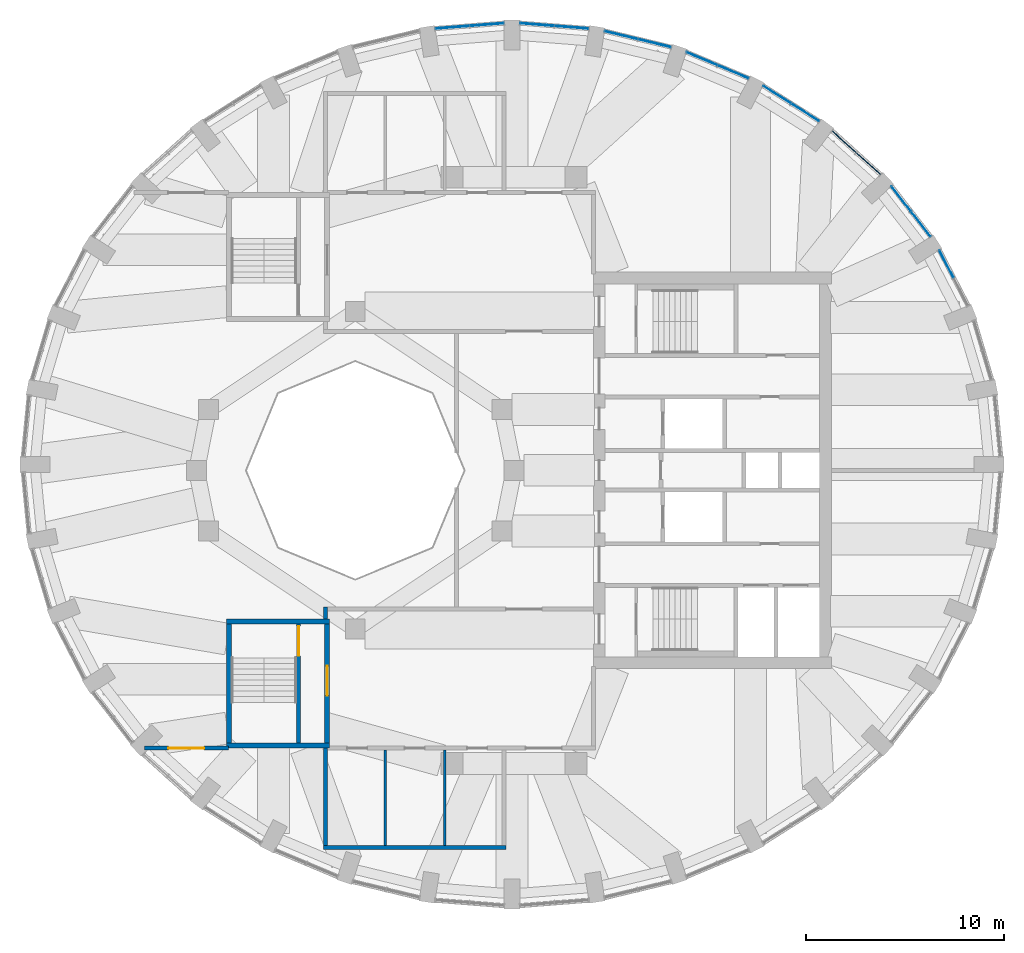
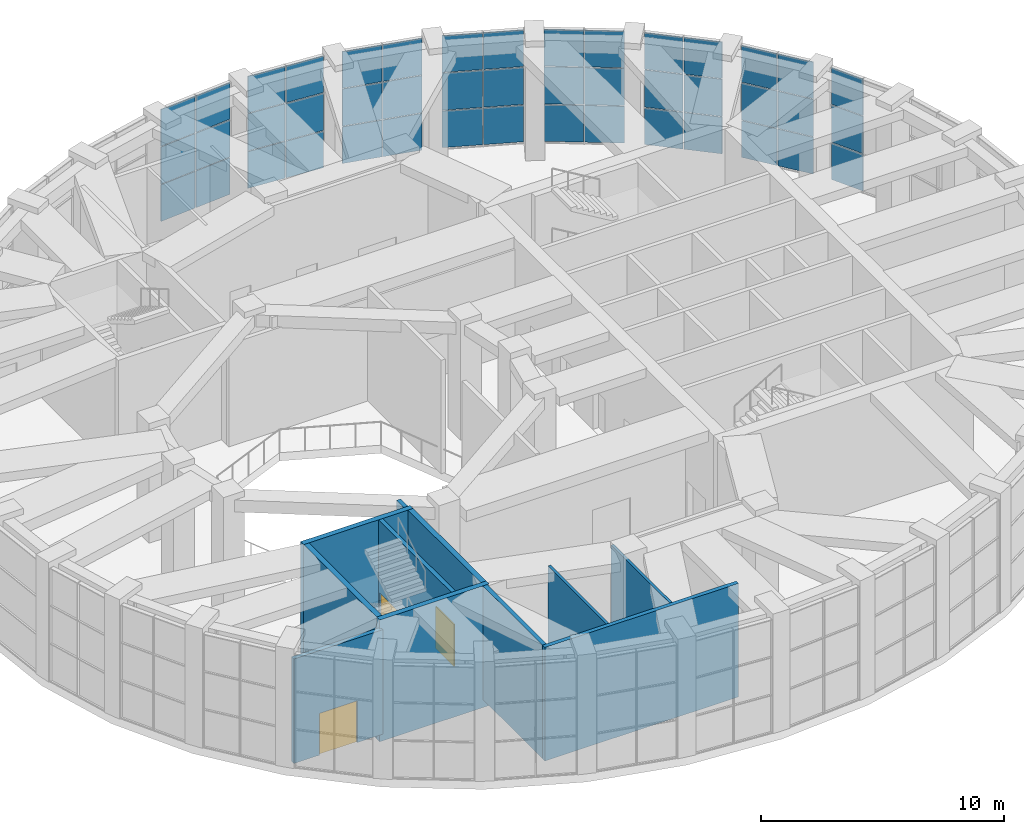
# One storey, part 15 of 20: 45 plates, 11 walls, 3 doors, 3 openings, 8 elements without a shape of their own.
"""IFC4 building model written with IfcOpenShell, lengths in metres."""

import ifcopenshell
import ifcopenshell.guid

model = None  # the IFC model being written
_history = None  # IfcOwnerHistory: only IFC2X3 demands one
_inside = {}  # id of a spatial element -> (the spatial element, [elements in it])
_under = {}  # id of a project, library or spatial element -> (it, [spatial elements below it])
_declared = {}  # id of a project -> (the project, [libraries it declares])
_typed = {}  # id of a type object -> (the type object, [elements of that type])
_made_of = {}  # id of a material, layer set ... -> (it, [elements and type objects made of it])


def new_model(schema):
    """Start an empty IFC model of exactly this schema.

    Asked for "IFC4X3", IfcOpenShell would pick the latest addendum, in which some entities
    have other attributes; the version numbers below select the first issue.
    IFC2X3 requires an IfcOwnerHistory on every rooted entity: one is made here for all.
    """
    global model, _history
    if schema == "IFC4X3":
        model = ifcopenshell.file(schema_version=(4, 3, 0, 0))
    else:
        model = ifcopenshell.file(schema=schema)
    _inside.clear()
    _under.clear()
    _declared.clear()
    _typed.clear()
    _made_of.clear()
    _history = None
    if model.schema == "IFC2X3":
        org = make("IfcOrganization", Name="unknown")
        user = make(
            "IfcPersonAndOrganization",
            ThePerson=make("IfcPerson", FamilyName="unknown"),
            TheOrganization=org,
        )
        app = make(
            "IfcApplication",
            ApplicationDeveloper=org,
            Version="unknown",
            ApplicationFullName="unknown",
            ApplicationIdentifier="unknown",
        )
        _history = make(
            "IfcOwnerHistory",
            OwningUser=user,
            OwningApplication=app,
            ChangeAction="ADDED",
            CreationDate=0,
        )
    return model


def make(cls, **values):
    """One entity of the class cls with the attributes given. An attribute that is None is left unset."""
    return model.create_entity(
        cls, **{name: value for name, value in values.items() if value is not None}
    )


def rooted(cls, **values):
    """An entity with a GlobalId (a new one), such as an element, a storey or a relation."""
    return make(cls, GlobalId=ifcopenshell.guid.new(), OwnerHistory=_history, **values)


def si_unit(unit_type, name, prefix=None):
    """IfcSIUnit, for example si_unit("LENGTHUNIT", "METRE", prefix="MILLI")."""
    return make("IfcSIUnit", UnitType=unit_type, Prefix=prefix, Name=name)


def assignment(units):
    """IfcUnitAssignment: the units of a project."""
    return None if units is None else make("IfcUnitAssignment", Units=units)


def point(xyz):
    """IfcCartesianPoint."""
    return None if xyz is None else make("IfcCartesianPoint", Coordinates=xyz)


def direction(xyz):
    """IfcDirection."""
    return None if xyz is None else make("IfcDirection", DirectionRatios=xyz)


def frame(location, z_axis=None, x_axis=None):
    """IfcAxis2Placement3D, a coordinate frame: its origin and axes. An axis left out is left unset."""
    return make(
        "IfcAxis2Placement3D",
        Location=point(location),
        Axis=direction(z_axis),
        RefDirection=direction(x_axis),
    )


def frame_2d(location, x_axis=None):
    """IfcAxis2Placement2D, a coordinate frame in the plane: its origin and x axis."""
    return make(
        "IfcAxis2Placement2D", Location=point(location), RefDirection=direction(x_axis)
    )


def origin():
    """The frame at (0, 0, 0) with its axes left unset."""
    return frame((0.0, 0.0, 0.0))


def origin_2d():
    """The frame at (0, 0) in the plane with its x axis left unset."""
    return frame_2d((0.0, 0.0))


def place(relative_to, where):
    """IfcLocalPlacement: puts the frame where relative to a parent placement (None: the world)."""
    return make(
        "IfcLocalPlacement", PlacementRelTo=relative_to, RelativePlacement=where
    )


def context(
    kind, dimensions, precision=None, world=None, true_north=None, identifier=None
):
    """IfcGeometricRepresentationContext, for example the 3D "Model" context."""
    return make(
        "IfcGeometricRepresentationContext",
        ContextIdentifier=identifier,
        ContextType=kind,
        CoordinateSpaceDimension=dimensions,
        Precision=precision,
        WorldCoordinateSystem=world,
        TrueNorth=true_north,
    )


def subcontext(parent, identifier, kind, view, scale=None):
    """IfcGeometricRepresentationSubContext, for example "Body" below "Model"."""
    return make(
        "IfcGeometricRepresentationSubContext",
        ContextIdentifier=identifier,
        ContextType=kind,
        ParentContext=parent,
        TargetScale=scale,
        TargetView=view,
    )


def project(units=None, contexts=None):
    """IfcProject with its units and contexts."""
    return rooted(
        "IfcProject",
        Name="project",
        RepresentationContexts=contexts,
        UnitsInContext=assignment(units),
    )


def spatial(cls, under=None, at=None, **own):
    """A site, building, storey or space (cls), placed at a placement, below another one or the project."""
    s = rooted(cls, ObjectPlacement=at, **own)
    if under is not None:
        _under.setdefault(under.id(), (under, []))[1].append(s)
    return s


def profile(cls, at=None, kind="AREA", **sizes):
    """A parametric profile (cls). Its sizes go by their IFC names, for example OverallWidth=200.0."""
    return make(cls, ProfileType=kind, Position=at, **sizes)


def rectangle(**sizes):
    """IfcRectangleProfileDef."""
    return profile("IfcRectangleProfileDef", **sizes)


def extrude(swept, where, along, depth):
    """IfcExtrudedAreaSolid: the profile swept, set in the frame where, extruded along a direction by depth."""
    return make(
        "IfcExtrudedAreaSolid",
        SweptArea=swept,
        Position=where,
        ExtrudedDirection=direction(along),
        Depth=depth,
    )


def shape(context_of_items, identifier, shape_type, items):
    """IfcShapeRepresentation: the items that make up one representation, for example the "Body"."""
    return make(
        "IfcShapeRepresentation",
        ContextOfItems=context_of_items,
        RepresentationIdentifier=identifier,
        RepresentationType=shape_type,
        Items=items,
    )


def material(Name=None, Category=None):
    """IfcMaterial."""
    return make("IfcMaterial", Name=Name, Category=Category)


def layer(
    of_material, thickness, ventilated=None, Name=None, Category=None, Priority=None
):
    """IfcMaterialLayer: one layer of a wall or slab, of a material (None: an air gap)."""
    return make(
        "IfcMaterialLayer",
        Material=of_material,
        LayerThickness=thickness,
        IsVentilated=ventilated,
        Name=Name,
        Category=Category,
        Priority=Priority,
    )


def layer_set(layers, Name=None):
    """IfcMaterialLayerSet."""
    return make("IfcMaterialLayerSet", MaterialLayers=layers, LayerSetName=Name)


def made_of(thing, what):
    """Note that an element or type object is made of a material, layer set ...; save() writes the relation."""
    if what is not None:
        _made_of.setdefault(what.id(), (what, []))[1].append(thing)
    return thing


def type_object(cls, material=None, **own):
    """A type object (cls), such as IfcWallType, which elements share."""
    return made_of(rooted(cls, **own), material)


def element(
    cls,
    number,
    at=None,
    inside=None,
    cuts=None,
    type_object=None,
    material=None,
    context=None,
    identifier="Body",
    shape_type=None,
    held_by="IfcProductDefinitionShape",
    body=None,
    shapes=None,
    **own,
):
    """One element of the class cls, such as IfcWall. Its Tag is "e" and its number.

    at: its placement. inside: the storey or other place that contains it. cuts: it is an
    opening in that element (IfcRelVoidsElement). A single representation is given by context,
    identifier, shape_type and body (its items); several are given by shapes. held_by: the class
    of the entity that holds the representations. save() writes the other relations.
    """
    e = rooted(cls, Tag="e%d" % number, ObjectPlacement=at, **own)
    if body is not None:
        shapes = [shape(context, identifier, shape_type, body)]
    if shapes is not None:
        e.Representation = make(held_by, Representations=shapes)
    if inside is not None:
        _inside.setdefault(inside.id(), (inside, []))[1].append(e)
    if cuts is not None:
        rooted(
            "IfcRelVoidsElement", RelatingBuildingElement=cuts, RelatedOpeningElement=e
        )
    if type_object is not None:
        _typed.setdefault(type_object.id(), (type_object, []))[1].append(e)
    return made_of(e, material)


def fill(opening, filler):
    """IfcRelFillsElement: the door or window that sits in an opening."""
    return rooted(
        "IfcRelFillsElement",
        RelatingOpeningElement=opening,
        RelatedBuildingElement=filler,
    )


def aggregate(whole, parts):
    """IfcRelAggregates: a whole, such as a stair, and the parts it consists of."""
    return rooted("IfcRelAggregates", RelatingObject=whole, RelatedObjects=parts)


def save(model, path):
    """Write the relations noted so far, then the file.

    IfcRelAggregates (storeys below a building ...), IfcRelContainedInSpatialStructure (elements
    in a storey), IfcRelDefinesByType, IfcRelAssociatesMaterial and IfcRelDeclares: one each for
    every whole, place, type object, material and project.
    """
    for whole, parts in _under.values():
        aggregate(whole, parts)
    for where, things in _inside.values():
        rooted(
            "IfcRelContainedInSpatialStructure",
            RelatedElements=things,
            RelatingStructure=where,
        )
    for kind, things in _typed.values():
        rooted("IfcRelDefinesByType", RelatedObjects=things, RelatingType=kind)
    for what, things in _made_of.values():
        rooted("IfcRelAssociatesMaterial", RelatedObjects=things, RelatingMaterial=what)
    for by, libraries in _declared.values():
        rooted("IfcRelDeclares", RelatingContext=by, RelatedDefinitions=libraries)
    model.write(path)


model = new_model("IFC4")

# Units and contexts
model_context = context("Model", 3, precision=1e-05, world=origin(), true_north=direction((0.0, 1.0)))
body_context = subcontext(model_context, "Body", "Model", "MODEL_VIEW")
ifc_project = project(units=[si_unit("LENGTHUNIT", "METRE"), si_unit("AREAUNIT", "SQUARE_METRE"), si_unit("VOLUMEUNIT", "CUBIC_METRE"), si_unit("PLANEANGLEUNIT", "RADIAN"), si_unit("MASSUNIT", "GRAM", prefix="KILO")], contexts=[model_context])

# Site, building, storey
site_placement = place(None, origin())
site = spatial("IfcSite", under=ifc_project, at=site_placement, CompositionType="ELEMENT")
building_placement = place(site_placement, origin())
building = spatial("IfcBuilding", under=site, at=building_placement, Name="Taillehof Tower", CompositionType="ELEMENT")
storey_placement = place(building_placement, frame((0.0, 0.0, 269.199951171875)))
storey = spatial("IfcBuildingStorey", under=building, at=storey_placement, Name="L76", CompositionType="ELEMENT", Elevation=269.199951171875)

# Curtain wall, plates
ifc_material_1 = material(Name="Aluminium curtain wall with Clear toughened laminated glass", Category="aluminium")
curtain_wall_type = type_object("IfcCurtainWallType", Name="Observation deck curtain wall", PredefinedType="USERDEFINED", material=ifc_material_1)
curtain_wall_1_placement = place(storey_placement, origin())
curtain_wall_1 = element("IfcCurtainWall", 1, at=curtain_wall_1_placement, inside=storey, type_object=curtain_wall_type, Name="Observation deck L76 bay 3", ObjectType="WINDOW WALL", PredefinedType="USERDEFINED")
ifc_material_2 = material(Name="Clear toughened laminated glass", Category="glass")
ifc_layer_1 = layer(ifc_material_2, 0.0400390625)
ifc_layer_set_1 = layer_set([ifc_layer_1], Name="Observation deck glass panel 40")
plate_type = type_object("IfcPlateType", Name="Observation deck glass panel 40", PredefinedType="CURTAIN_PANEL", material=ifc_layer_set_1)
plate_1_placement = place(storey_placement, frame((21.79833984375, 10.399658203125, 0.0400390625), z_axis=(0.0, 0.0, 1.0), x_axis=(-0.459891218474, 0.887975262702, 0.0)))
plate_1 = element("IfcPlate", 2, at=plate_1_placement, type_object=plate_type, Name="CT6E03 panel 2.1", PredefinedType="CURTAIN_PANEL", context=body_context, shape_type="SweptSolid", body=[
    extrude(rectangle(XDim=1.541748046875, YDim=0.0400390625, at=origin_2d()), origin(), (0.0, 0.0, 1.0), 1.840087890625),
])
plate_2_placement = place(storey_placement, frame((21.79833984375, 10.399658203125, 1.919921875), z_axis=(0.0, 0.0, 1.0), x_axis=(-0.459891218474, 0.887975262702, 0.0)))
plate_2 = element("IfcPlate", 3, at=plate_2_placement, type_object=plate_type, Name="CT6E03 panel 2.2", PredefinedType="CURTAIN_PANEL", context=body_context, shape_type="SweptSolid", body=[
    extrude(rectangle(XDim=1.541748046875, YDim=0.0400390625, at=origin_2d()), origin(), (0.0, 0.0, 1.0), 1.860107421875),
])
plate_3_placement = place(storey_placement, frame((21.79833984375, 10.399658203125, 3.81982421875), z_axis=(0.0, 0.0, 1.0), x_axis=(-0.459891218474, 0.887975262702, 0.0)))
plate_3 = element("IfcPlate", 4, at=plate_3_placement, type_object=plate_type, Name="CT6E03 panel 2.3", PredefinedType="CURTAIN_PANEL", context=body_context, shape_type="SweptSolid", body=[
    extrude(rectangle(XDim=1.541748046875, YDim=0.0400390625, at=origin_2d()), origin(), (0.0, 0.0, 1.0), 1.840087890625),
])
aggregate(curtain_wall_1, [plate_1, plate_2, plate_3])

curtain_wall_2_placement = place(storey_placement, origin())
curtain_wall_2 = element("IfcCurtainWall", 5, at=curtain_wall_2_placement, inside=storey, type_object=curtain_wall_type, Name="Observation deck L76 bay 4", ObjectType="WINDOW WALL", PredefinedType="USERDEFINED")
plate_4_placement = place(storey_placement, frame((20.50830078125, 12.412109375, 0.0400390625), z_axis=(0.0, 0.0, 1.0), x_axis=(-0.613902818005, 0.789381612432, 0.0)))
plate_4 = element("IfcPlate", 6, at=plate_4_placement, type_object=plate_type, Name="CT6E04 panel 1.1", PredefinedType="CURTAIN_PANEL", context=body_context, shape_type="SweptSolid", body=[
    extrude(rectangle(XDim=1.572265625, YDim=0.0400390625, at=origin_2d()), origin(), (0.0, 0.0, 1.0), 1.840087890625),
])
plate_5_placement = place(storey_placement, frame((20.50830078125, 12.412109375, 1.919921875), z_axis=(0.0, 0.0, 1.0), x_axis=(-0.613902818005, 0.789381612432, 0.0)))
plate_5 = element("IfcPlate", 7, at=plate_5_placement, type_object=plate_type, Name="CT6E04 panel 1.2", PredefinedType="CURTAIN_PANEL", context=body_context, shape_type="SweptSolid", body=[
    extrude(rectangle(XDim=1.572265625, YDim=0.0400390625, at=origin_2d()), origin(), (0.0, 0.0, 1.0), 1.860107421875),
])
plate_6_placement = place(storey_placement, frame((20.50830078125, 12.412109375, 3.81982421875), z_axis=(0.0, 0.0, 1.0), x_axis=(-0.613902818005, 0.789381612432, 0.0)))
plate_6 = element("IfcPlate", 8, at=plate_6_placement, type_object=plate_type, Name="CT6E04 panel 1.3", PredefinedType="CURTAIN_PANEL", context=body_context, shape_type="SweptSolid", body=[
    extrude(rectangle(XDim=1.572265625, YDim=0.0400390625, at=origin_2d()), origin(), (0.0, 0.0, 1.0), 1.840087890625),
])
plate_7_placement = place(storey_placement, frame((19.5185546875, 13.684814453125, 0.0400390625), z_axis=(0.0, 0.0, 1.0), x_axis=(-0.613902818005, 0.789381612432, 0.0)))
plate_7 = element("IfcPlate", 9, at=plate_7_placement, type_object=plate_type, Name="CT6E04 panel 2.1", PredefinedType="CURTAIN_PANEL", context=body_context, shape_type="SweptSolid", body=[
    extrude(rectangle(XDim=1.572265625, YDim=0.0400390625, at=origin_2d()), origin(), (0.0, 0.0, 1.0), 1.840087890625),
])
plate_8_placement = place(storey_placement, frame((19.5185546875, 13.684814453125, 1.919921875), z_axis=(0.0, 0.0, 1.0), x_axis=(-0.613902818005, 0.789381612432, 0.0)))
plate_8 = element("IfcPlate", 10, at=plate_8_placement, type_object=plate_type, Name="CT6E04 panel 2.2", PredefinedType="CURTAIN_PANEL", context=body_context, shape_type="SweptSolid", body=[
    extrude(rectangle(XDim=1.572265625, YDim=0.0400390625, at=origin_2d()), origin(), (0.0, 0.0, 1.0), 1.860107421875),
])
plate_9_placement = place(storey_placement, frame((19.5185546875, 13.684814453125, 3.81982421875), z_axis=(0.0, 0.0, 1.0), x_axis=(-0.613902818005, 0.789381612432, 0.0)))
plate_9 = element("IfcPlate", 11, at=plate_9_placement, type_object=plate_type, Name="CT6E04 panel 2.3", PredefinedType="CURTAIN_PANEL", context=body_context, shape_type="SweptSolid", body=[
    extrude(rectangle(XDim=1.572265625, YDim=0.0400390625, at=origin_2d()), origin(), (0.0, 0.0, 1.0), 1.840087890625),
])
aggregate(curtain_wall_2, [plate_4, plate_5, plate_6, plate_7, plate_8, plate_9])

curtain_wall_3_placement = place(storey_placement, origin())
curtain_wall_3 = element("IfcCurtainWall", 12, at=curtain_wall_3_placement, inside=storey, type_object=curtain_wall_type, Name="Observation deck L76 bay 5", ObjectType="WINDOW WALL", PredefinedType="USERDEFINED")
plate_10_placement = place(storey_placement, frame((17.866943359375, 15.45751953125, 0.0400390625), z_axis=(0.0, 0.0, 1.0), x_axis=(-0.74316593792, 0.669107157872, 0.0)))
plate_10 = element("IfcPlate", 13, at=plate_10_placement, type_object=plate_type, Name="CT6E05 panel 1.1", PredefinedType="CURTAIN_PANEL", context=body_context, shape_type="SweptSolid", body=[
    extrude(rectangle(XDim=1.6064453125, YDim=0.0400390625, at=origin_2d()), origin(), (0.0, 0.0, 1.0), 1.840087890625),
])
plate_11_placement = place(storey_placement, frame((17.866943359375, 15.45751953125, 1.919921875), z_axis=(0.0, 0.0, 1.0), x_axis=(-0.74316593792, 0.669107157872, 0.0)))
plate_11 = element("IfcPlate", 14, at=plate_11_placement, type_object=plate_type, Name="CT6E05 panel 1.2", PredefinedType="CURTAIN_PANEL", context=body_context, shape_type="SweptSolid", body=[
    extrude(rectangle(XDim=1.6064453125, YDim=0.0400390625, at=origin_2d()), origin(), (0.0, 0.0, 1.0), 1.860107421875),
])
plate_12_placement = place(storey_placement, frame((17.866943359375, 15.45751953125, 3.81982421875), z_axis=(0.0, 0.0, 1.0), x_axis=(-0.74316593792, 0.669107157872, 0.0)))
plate_12 = element("IfcPlate", 15, at=plate_12_placement, type_object=plate_type, Name="CT6E05 panel 1.3", PredefinedType="CURTAIN_PANEL", context=body_context, shape_type="SweptSolid", body=[
    extrude(rectangle(XDim=1.6064453125, YDim=0.0400390625, at=origin_2d()), origin(), (0.0, 0.0, 1.0), 1.840087890625),
])
plate_13_placement = place(storey_placement, frame((16.643310546875, 16.55908203125, 0.0400390625), z_axis=(0.0, 0.0, 1.0), x_axis=(-0.74316593792, 0.669107157872, 0.0)))
plate_13 = element("IfcPlate", 16, at=plate_13_placement, type_object=plate_type, Name="CT6E05 panel 2.1", PredefinedType="CURTAIN_PANEL", context=body_context, shape_type="SweptSolid", body=[
    extrude(rectangle(XDim=1.6064453125, YDim=0.0400390625, at=origin_2d()), origin(), (0.0, 0.0, 1.0), 1.840087890625),
])
plate_14_placement = place(storey_placement, frame((16.643310546875, 16.55908203125, 1.919921875), z_axis=(0.0, 0.0, 1.0), x_axis=(-0.74316593792, 0.669107157872, 0.0)))
plate_14 = element("IfcPlate", 17, at=plate_14_placement, type_object=plate_type, Name="CT6E05 panel 2.2", PredefinedType="CURTAIN_PANEL", context=body_context, shape_type="SweptSolid", body=[
    extrude(rectangle(XDim=1.6064453125, YDim=0.0400390625, at=origin_2d()), origin(), (0.0, 0.0, 1.0), 1.860107421875),
])
plate_15_placement = place(storey_placement, frame((16.643310546875, 16.55908203125, 3.81982421875), z_axis=(0.0, 0.0, 1.0), x_axis=(-0.74316593792, 0.669107157872, 0.0)))
plate_15 = element("IfcPlate", 18, at=plate_15_placement, type_object=plate_type, Name="CT6E05 panel 2.3", PredefinedType="CURTAIN_PANEL", context=body_context, shape_type="SweptSolid", body=[
    extrude(rectangle(XDim=1.6064453125, YDim=0.0400390625, at=origin_2d()), origin(), (0.0, 0.0, 1.0), 1.840087890625),
])
aggregate(curtain_wall_3, [plate_10, plate_11, plate_12, plate_13, plate_14, plate_15])

curtain_wall_4_placement = place(storey_placement, origin())
curtain_wall_4 = element("IfcCurtainWall", 19, at=curtain_wall_4_placement, inside=storey, type_object=curtain_wall_type, Name="Observation deck L76 bay 6", ObjectType="WINDOW WALL", PredefinedType="USERDEFINED")
plate_16_placement = place(storey_placement, frame((14.682861328125, 18.040771484375, 0.0400390625), z_axis=(0.0, 0.0, 1.0), x_axis=(-0.845929695916, 0.533294430468, 0.0)))
plate_16 = element("IfcPlate", 20, at=plate_16_placement, type_object=plate_type, Name="CT6E06 panel 1.1", PredefinedType="CURTAIN_PANEL", context=body_context, shape_type="SweptSolid", body=[
    extrude(rectangle(XDim=1.64013671875, YDim=0.0400390625, at=origin_2d()), origin(), (0.0, 0.0, 1.0), 1.840087890625),
])
plate_17_placement = place(storey_placement, frame((14.682861328125, 18.040771484375, 1.919921875), z_axis=(0.0, 0.0, 1.0), x_axis=(-0.845929695916, 0.533294430468, 0.0)))
plate_17 = element("IfcPlate", 21, at=plate_17_placement, type_object=plate_type, Name="CT6E06 panel 1.2", PredefinedType="CURTAIN_PANEL", context=body_context, shape_type="SweptSolid", body=[
    extrude(rectangle(XDim=1.64013671875, YDim=0.0400390625, at=origin_2d()), origin(), (0.0, 0.0, 1.0), 1.860107421875),
])
plate_18_placement = place(storey_placement, frame((14.682861328125, 18.040771484375, 3.81982421875), z_axis=(0.0, 0.0, 1.0), x_axis=(-0.845929695916, 0.533294430468, 0.0)))
plate_18 = element("IfcPlate", 22, at=plate_18_placement, type_object=plate_type, Name="CT6E06 panel 1.3", PredefinedType="CURTAIN_PANEL", context=body_context, shape_type="SweptSolid", body=[
    extrude(rectangle(XDim=1.64013671875, YDim=0.0400390625, at=origin_2d()), origin(), (0.0, 0.0, 1.0), 1.840087890625),
])
plate_19_placement = place(storey_placement, frame((13.26171875, 18.936767578125, 0.0400390625), z_axis=(0.0, 0.0, 1.0), x_axis=(-0.845929695916, 0.533294430468, 0.0)))
plate_19 = element("IfcPlate", 23, at=plate_19_placement, type_object=plate_type, Name="CT6E06 panel 2.1", PredefinedType="CURTAIN_PANEL", context=body_context, shape_type="SweptSolid", body=[
    extrude(rectangle(XDim=1.64013671875, YDim=0.0400390625, at=origin_2d()), origin(), (0.0, 0.0, 1.0), 1.840087890625),
])
plate_20_placement = place(storey_placement, frame((13.26171875, 18.936767578125, 1.919921875), z_axis=(0.0, 0.0, 1.0), x_axis=(-0.845929695916, 0.533294430468, 0.0)))
plate_20 = element("IfcPlate", 24, at=plate_20_placement, type_object=plate_type, Name="CT6E06 panel 2.2", PredefinedType="CURTAIN_PANEL", context=body_context, shape_type="SweptSolid", body=[
    extrude(rectangle(XDim=1.64013671875, YDim=0.0400390625, at=origin_2d()), origin(), (0.0, 0.0, 1.0), 1.860107421875),
])
plate_21_placement = place(storey_placement, frame((13.26171875, 18.936767578125, 3.81982421875), z_axis=(0.0, 0.0, 1.0), x_axis=(-0.845929695916, 0.533294430468, 0.0)))
plate_21 = element("IfcPlate", 25, at=plate_21_placement, type_object=plate_type, Name="CT6E06 panel 2.3", PredefinedType="CURTAIN_PANEL", context=body_context, shape_type="SweptSolid", body=[
    extrude(rectangle(XDim=1.64013671875, YDim=0.0400390625, at=origin_2d()), origin(), (0.0, 0.0, 1.0), 1.840087890625),
])
aggregate(curtain_wall_4, [plate_16, plate_17, plate_18, plate_19, plate_20, plate_21])

curtain_wall_5_placement = place(storey_placement, origin())
curtain_wall_5 = element("IfcCurtainWall", 26, at=curtain_wall_5_placement, inside=storey, type_object=curtain_wall_type, Name="Observation deck L76 bay 7", ObjectType="WINDOW WALL", PredefinedType="USERDEFINED")
plate_22_placement = place(storey_placement, frame((11.05322265625, 20.0849609375, 0.0400390625), z_axis=(0.0, 0.0, 1.0), x_axis=(-0.922037438233, 0.387100713636, 0.0)))
plate_22 = element("IfcPlate", 27, at=plate_22_placement, type_object=plate_type, Name="CT6E07 panel 1.1", PredefinedType="CURTAIN_PANEL", context=body_context, shape_type="SweptSolid", body=[
    extrude(rectangle(XDim=1.66943359375, YDim=0.0400390625, at=origin_2d()), origin(), (0.0, 0.0, 1.0), 1.840087890625),
])
plate_23_placement = place(storey_placement, frame((11.05322265625, 20.0849609375, 1.919921875), z_axis=(0.0, 0.0, 1.0), x_axis=(-0.922037438233, 0.387100713636, 0.0)))
plate_23 = element("IfcPlate", 28, at=plate_23_placement, type_object=plate_type, Name="CT6E07 panel 1.2", PredefinedType="CURTAIN_PANEL", context=body_context, shape_type="SweptSolid", body=[
    extrude(rectangle(XDim=1.66943359375, YDim=0.0400390625, at=origin_2d()), origin(), (0.0, 0.0, 1.0), 1.860107421875),
])
plate_24_placement = place(storey_placement, frame((11.05322265625, 20.0849609375, 3.81982421875), z_axis=(0.0, 0.0, 1.0), x_axis=(-0.922037438233, 0.387100713636, 0.0)))
plate_24 = element("IfcPlate", 29, at=plate_24_placement, type_object=plate_type, Name="CT6E07 panel 1.3", PredefinedType="CURTAIN_PANEL", context=body_context, shape_type="SweptSolid", body=[
    extrude(rectangle(XDim=1.66943359375, YDim=0.0400390625, at=origin_2d()), origin(), (0.0, 0.0, 1.0), 1.840087890625),
])
plate_25_placement = place(storey_placement, frame((9.47705078125, 20.746826171875, 0.0400390625), z_axis=(0.0, 0.0, 1.0), x_axis=(-0.922037438233, 0.387100713636, 0.0)))
plate_25 = element("IfcPlate", 30, at=plate_25_placement, type_object=plate_type, Name="CT6E07 panel 2.1", PredefinedType="CURTAIN_PANEL", context=body_context, shape_type="SweptSolid", body=[
    extrude(rectangle(XDim=1.66943359375, YDim=0.0400390625, at=origin_2d()), origin(), (0.0, 0.0, 1.0), 1.840087890625),
])
plate_26_placement = place(storey_placement, frame((9.47705078125, 20.746826171875, 1.919921875), z_axis=(0.0, 0.0, 1.0), x_axis=(-0.922037438233, 0.387100713636, 0.0)))
plate_26 = element("IfcPlate", 31, at=plate_26_placement, type_object=plate_type, Name="CT6E07 panel 2.2", PredefinedType="CURTAIN_PANEL", context=body_context, shape_type="SweptSolid", body=[
    extrude(rectangle(XDim=1.66943359375, YDim=0.0400390625, at=origin_2d()), origin(), (0.0, 0.0, 1.0), 1.860107421875),
])
plate_27_placement = place(storey_placement, frame((9.47705078125, 20.746826171875, 3.81982421875), z_axis=(0.0, 0.0, 1.0), x_axis=(-0.922037438233, 0.387100713636, 0.0)))
plate_27 = element("IfcPlate", 32, at=plate_27_placement, type_object=plate_type, Name="CT6E07 panel 2.3", PredefinedType="CURTAIN_PANEL", context=body_context, shape_type="SweptSolid", body=[
    extrude(rectangle(XDim=1.66943359375, YDim=0.0400390625, at=origin_2d()), origin(), (0.0, 0.0, 1.0), 1.840087890625),
])
aggregate(curtain_wall_5, [plate_22, plate_23, plate_24, plate_25, plate_26, plate_27])

curtain_wall_6_placement = place(storey_placement, origin())
curtain_wall_6 = element("IfcCurtainWall", 33, at=curtain_wall_6_placement, inside=storey, type_object=curtain_wall_type, Name="Observation deck L76 bay 8", ObjectType="WINDOW WALL", PredefinedType="USERDEFINED")
plate_28_placement = place(storey_placement, frame((7.087646484375, 21.530029296875, 0.0400390625), z_axis=(0.0, 0.0, 1.0), x_axis=(-0.972112616855, 0.234514520129, 0.0)))
plate_28 = element("IfcPlate", 34, at=plate_28_placement, type_object=plate_type, Name="CT6E08 panel 1.1", PredefinedType="CURTAIN_PANEL", context=body_context, shape_type="SweptSolid", body=[
    extrude(rectangle(XDim=1.69091796875, YDim=0.0400390625, at=origin_2d()), origin(), (0.0, 0.0, 1.0), 1.840087890625),
])
plate_29_placement = place(storey_placement, frame((7.087646484375, 21.530029296875, 1.919921875), z_axis=(0.0, 0.0, 1.0), x_axis=(-0.972112616855, 0.234514520129, 0.0)))
plate_29 = element("IfcPlate", 35, at=plate_29_placement, type_object=plate_type, Name="CT6E08 panel 1.2", PredefinedType="CURTAIN_PANEL", context=body_context, shape_type="SweptSolid", body=[
    extrude(rectangle(XDim=1.69091796875, YDim=0.0400390625, at=origin_2d()), origin(), (0.0, 0.0, 1.0), 1.860107421875),
])
plate_30_placement = place(storey_placement, frame((7.087646484375, 21.530029296875, 3.81982421875), z_axis=(0.0, 0.0, 1.0), x_axis=(-0.972112616855, 0.234514520129, 0.0)))
plate_30 = element("IfcPlate", 36, at=plate_30_placement, type_object=plate_type, Name="CT6E08 panel 1.3", PredefinedType="CURTAIN_PANEL", context=body_context, shape_type="SweptSolid", body=[
    extrude(rectangle(XDim=1.69091796875, YDim=0.0400390625, at=origin_2d()), origin(), (0.0, 0.0, 1.0), 1.840087890625),
])
plate_31_placement = place(storey_placement, frame((5.405029296875, 21.93603515625, 0.0400390625), z_axis=(0.0, 0.0, 1.0), x_axis=(-0.972112616855, 0.234514520129, 0.0)))
plate_31 = element("IfcPlate", 37, at=plate_31_placement, type_object=plate_type, Name="CT6E08 panel 2.1", PredefinedType="CURTAIN_PANEL", context=body_context, shape_type="SweptSolid", body=[
    extrude(rectangle(XDim=1.69091796875, YDim=0.0400390625, at=origin_2d()), origin(), (0.0, 0.0, 1.0), 1.840087890625),
])
plate_32_placement = place(storey_placement, frame((5.405029296875, 21.93603515625, 1.919921875), z_axis=(0.0, 0.0, 1.0), x_axis=(-0.972112616855, 0.234514520129, 0.0)))
plate_32 = element("IfcPlate", 38, at=plate_32_placement, type_object=plate_type, Name="CT6E08 panel 2.2", PredefinedType="CURTAIN_PANEL", context=body_context, shape_type="SweptSolid", body=[
    extrude(rectangle(XDim=1.69091796875, YDim=0.0400390625, at=origin_2d()), origin(), (0.0, 0.0, 1.0), 1.860107421875),
])
plate_33_placement = place(storey_placement, frame((5.405029296875, 21.93603515625, 3.81982421875), z_axis=(0.0, 0.0, 1.0), x_axis=(-0.972112616855, 0.234514520129, 0.0)))
plate_33 = element("IfcPlate", 39, at=plate_33_placement, type_object=plate_type, Name="CT6E08 panel 2.3", PredefinedType="CURTAIN_PANEL", context=body_context, shape_type="SweptSolid", body=[
    extrude(rectangle(XDim=1.69091796875, YDim=0.0400390625, at=origin_2d()), origin(), (0.0, 0.0, 1.0), 1.840087890625),
])
aggregate(curtain_wall_6, [plate_28, plate_29, plate_30, plate_31, plate_32, plate_33])

curtain_wall_7_placement = place(storey_placement, origin())
curtain_wall_7 = element("IfcCurtainWall", 40, at=curtain_wall_7_placement, inside=storey, type_object=curtain_wall_type, Name="Observation deck L76 bay 9", ObjectType="WINDOW WALL", PredefinedType="USERDEFINED")
plate_34_placement = place(storey_placement, frame((2.9052734375, 22.332763671875, 0.0400390625), z_axis=(0.0, 0.0, 1.0), x_axis=(-0.996912140109, 0.078525059075, 0.0)))
plate_34 = element("IfcPlate", 41, at=plate_34_placement, type_object=plate_type, Name="CT6E09 panel 1.1", PredefinedType="CURTAIN_PANEL", context=body_context, shape_type="SweptSolid", body=[
    extrude(rectangle(XDim=1.7021484375, YDim=0.0400390625, at=origin_2d()), origin(), (0.0, 0.0, 1.0), 1.840087890625),
])
plate_35_placement = place(storey_placement, frame((2.9052734375, 22.332763671875, 1.919921875), z_axis=(0.0, 0.0, 1.0), x_axis=(-0.996912140109, 0.078525059075, 0.0)))
plate_35 = element("IfcPlate", 42, at=plate_35_placement, type_object=plate_type, Name="CT6E09 panel 1.2", PredefinedType="CURTAIN_PANEL", context=body_context, shape_type="SweptSolid", body=[
    extrude(rectangle(XDim=1.7021484375, YDim=0.0400390625, at=origin_2d()), origin(), (0.0, 0.0, 1.0), 1.860107421875),
])
plate_36_placement = place(storey_placement, frame((2.9052734375, 22.332763671875, 3.81982421875), z_axis=(0.0, 0.0, 1.0), x_axis=(-0.996912140109, 0.078525059075, 0.0)))
plate_36 = element("IfcPlate", 43, at=plate_36_placement, type_object=plate_type, Name="CT6E09 panel 1.3", PredefinedType="CURTAIN_PANEL", context=body_context, shape_type="SweptSolid", body=[
    extrude(rectangle(XDim=1.7021484375, YDim=0.0400390625, at=origin_2d()), origin(), (0.0, 0.0, 1.0), 1.840087890625),
])
plate_37_placement = place(storey_placement, frame((1.16845703125, 22.4697265625, 0.0400390625), z_axis=(0.0, 0.0, 1.0), x_axis=(-0.996912140109, 0.078525059075, 0.0)))
plate_37 = element("IfcPlate", 44, at=plate_37_placement, type_object=plate_type, Name="CT6E09 panel 2.1", PredefinedType="CURTAIN_PANEL", context=body_context, shape_type="SweptSolid", body=[
    extrude(rectangle(XDim=1.7021484375, YDim=0.0400390625, at=origin_2d()), origin(), (0.0, 0.0, 1.0), 1.840087890625),
])
plate_38_placement = place(storey_placement, frame((1.16845703125, 22.4697265625, 1.919921875), z_axis=(0.0, 0.0, 1.0), x_axis=(-0.996912140109, 0.078525059075, 0.0)))
plate_38 = element("IfcPlate", 45, at=plate_38_placement, type_object=plate_type, Name="CT6E09 panel 2.2", PredefinedType="CURTAIN_PANEL", context=body_context, shape_type="SweptSolid", body=[
    extrude(rectangle(XDim=1.7021484375, YDim=0.0400390625, at=origin_2d()), origin(), (0.0, 0.0, 1.0), 1.860107421875),
])
plate_39_placement = place(storey_placement, frame((1.16845703125, 22.4697265625, 3.81982421875), z_axis=(0.0, 0.0, 1.0), x_axis=(-0.996912140109, 0.078525059075, 0.0)))
plate_39 = element("IfcPlate", 46, at=plate_39_placement, type_object=plate_type, Name="CT6E09 panel 2.3", PredefinedType="CURTAIN_PANEL", context=body_context, shape_type="SweptSolid", body=[
    extrude(rectangle(XDim=1.7021484375, YDim=0.0400390625, at=origin_2d()), origin(), (0.0, 0.0, 1.0), 1.840087890625),
])
aggregate(curtain_wall_7, [plate_34, plate_35, plate_36, plate_37, plate_38, plate_39])

curtain_wall_8_placement = place(storey_placement, origin())
curtain_wall_8 = element("IfcCurtainWall", 47, at=curtain_wall_8_placement, inside=storey, type_object=curtain_wall_type, Name="Observation deck L76 bay 10", ObjectType="WINDOW WALL", PredefinedType="USERDEFINED")
plate_40_placement = place(storey_placement, frame((-1.368408203125, 22.4697265625, 0.0400390625), z_axis=(0.0, 0.0, 1.0), x_axis=(-0.996912140109, -0.078525059075, 0.0)))
plate_40 = element("IfcPlate", 48, at=plate_40_placement, type_object=plate_type, Name="CT6E10 panel 1.1", PredefinedType="CURTAIN_PANEL", context=body_context, shape_type="SweptSolid", body=[
    extrude(rectangle(XDim=1.7021484375, YDim=0.0400390625, at=origin_2d()), origin(), (0.0, 0.0, 1.0), 1.840087890625),
])
plate_41_placement = place(storey_placement, frame((-1.368408203125, 22.4697265625, 1.919921875), z_axis=(0.0, 0.0, 1.0), x_axis=(-0.996912140109, -0.078525059075, 0.0)))
plate_41 = element("IfcPlate", 49, at=plate_41_placement, type_object=plate_type, Name="CT6E10 panel 1.2", PredefinedType="CURTAIN_PANEL", context=body_context, shape_type="SweptSolid", body=[
    extrude(rectangle(XDim=1.7021484375, YDim=0.0400390625, at=origin_2d()), origin(), (0.0, 0.0, 1.0), 1.860107421875),
])
plate_42_placement = place(storey_placement, frame((-1.368408203125, 22.4697265625, 3.81982421875), z_axis=(0.0, 0.0, 1.0), x_axis=(-0.996912140109, -0.078525059075, 0.0)))
plate_42 = element("IfcPlate", 50, at=plate_42_placement, type_object=plate_type, Name="CT6E10 panel 1.3", PredefinedType="CURTAIN_PANEL", context=body_context, shape_type="SweptSolid", body=[
    extrude(rectangle(XDim=1.7021484375, YDim=0.0400390625, at=origin_2d()), origin(), (0.0, 0.0, 1.0), 1.840087890625),
])
plate_43_placement = place(storey_placement, frame((-3.105224609375, 22.332763671875, 0.0400390625), z_axis=(0.0, 0.0, 1.0), x_axis=(-0.996912140109, -0.078525059075, 0.0)))
plate_43 = element("IfcPlate", 51, at=plate_43_placement, type_object=plate_type, Name="CT6E10 panel 2.1", PredefinedType="CURTAIN_PANEL", context=body_context, shape_type="SweptSolid", body=[
    extrude(rectangle(XDim=1.7021484375, YDim=0.0400390625, at=origin_2d()), origin(), (0.0, 0.0, 1.0), 1.840087890625),
])
plate_44_placement = place(storey_placement, frame((-3.105224609375, 22.332763671875, 1.919921875), z_axis=(0.0, 0.0, 1.0), x_axis=(-0.996912140109, -0.078525059075, 0.0)))
plate_44 = element("IfcPlate", 52, at=plate_44_placement, type_object=plate_type, Name="CT6E10 panel 2.2", PredefinedType="CURTAIN_PANEL", context=body_context, shape_type="SweptSolid", body=[
    extrude(rectangle(XDim=1.7021484375, YDim=0.0400390625, at=origin_2d()), origin(), (0.0, 0.0, 1.0), 1.860107421875),
])
plate_45_placement = place(storey_placement, frame((-3.105224609375, 22.332763671875, 3.81982421875), z_axis=(0.0, 0.0, 1.0), x_axis=(-0.996912140109, -0.078525059075, 0.0)))
plate_45 = element("IfcPlate", 53, at=plate_45_placement, type_object=plate_type, Name="CT6E10 panel 2.3", PredefinedType="CURTAIN_PANEL", context=body_context, shape_type="SweptSolid", body=[
    extrude(rectangle(XDim=1.7021484375, YDim=0.0400390625, at=origin_2d()), origin(), (0.0, 0.0, 1.0), 1.840087890625),
])
aggregate(curtain_wall_8, [plate_40, plate_41, plate_42, plate_43, plate_44, plate_45])

# Wall
ifc_material_3 = material(Name="Calcium silicate blockwork", Category="masonry")
ifc_layer_2 = layer(ifc_material_3, 0.199951171875)
ifc_layer_set_2 = layer_set([ifc_layer_2], Name="Compartment wall EI 60 200 mm")
wall_type_1 = type_object("IfcWallType", Name="Compartment wall EI 60 200 mm", PredefinedType="PARTITIONING", material=ifc_layer_set_2)
wall_1_placement = place(storey_placement, frame((-9.60009765625, -19.0, 0.0), z_axis=(0.0, 0.0, 1.0), x_axis=(1.0, 0.0, 0.0)))
element("IfcWall", 54, at=wall_1_placement, inside=storey, type_object=wall_type_1, Name="Wall L76-04 / L76-11", PredefinedType="PARTITIONING", context=body_context, shape_type="SweptSolid", body=[
    extrude(rectangle(XDim=9.2001953125, YDim=0.199951171875, at=frame_2d((4.60009765625, 0.0))), origin(), (0.0, 0.0, 1.0), 5.699951171875),
])

# Wall, opening, door
wall_2_placement = place(storey_placement, frame((-18.635498046875, -14.0, 0.0), z_axis=(0.0, 0.0, 1.0), x_axis=(1.0, 0.0, 0.0)))
wall_2 = element("IfcWall", 55, at=wall_2_placement, inside=storey, type_object=wall_type_1, Name="Wall L76-11 / L76-12", PredefinedType="PARTITIONING", context=body_context, shape_type="SweptSolid", body=[
    extrude(rectangle(XDim=4.235595703125, YDim=0.199951171875, at=frame_2d((2.11767578125, 0.0))), origin(), (0.0, 0.0, 1.0), 5.25),
])
opening_1_placement = place(wall_2_placement, frame((1.217529296875, 0.0, 0.0)))
opening_1 = element("IfcOpeningElement", 56, at=opening_1_placement, cuts=wall_2, Name="Opening D7641", PredefinedType="OPENING", context=body_context, shape_type="SweptSolid", body=[
    extrude(rectangle(XDim=1.800048828125, YDim=2.10009765625, at=frame_2d((0.89990234375, 1.050048828125))), frame((0.0, 0.10986328125, 0.0), z_axis=(0.0, -1.0, 0.0), x_axis=(1.0, 0.0, 0.0)), (0.0, 0.0, 1.0), 0.219970703125),
])
ifc_material_4 = material(Name="Hollow metal door set")
door_type_1 = type_object("IfcDoorType", Name="Double door 1800 x 2100 FD60S", OperationType="DOUBLE_DOOR_SINGLE_SWING", PredefinedType="DOOR", material=ifc_material_4)
door_1_placement = place(opening_1_placement, origin())
door_1 = element("IfcDoor", 57, at=door_1_placement, inside=storey, type_object=door_type_1, Name="Door D7641", OperationType="DOUBLE_DOOR_SINGLE_SWING", OverallHeight=2.10009765625, OverallWidth=1.800048828125, PredefinedType="DOOR", context=body_context, shape_type="SweptSolid", body=[
    extrude(rectangle(XDim=1.800048828125, YDim=2.10009765625, at=frame_2d((0.89990234375, 1.050048828125))), frame((0.0, 0.02490234375, 0.0), z_axis=(0.0, -1.0, 0.0), x_axis=(1.0, 0.0, 0.0)), (0.0, 0.0, 1.0), 0.050048828125),
])
fill(opening_1, door_1)

# Walls
wall_3_placement = place(storey_placement, frame((-9.5, -18.89990234375, 0.0), z_axis=(0.0, 0.0, 1.0), x_axis=(0.0, 1.0, 0.0)))
element("IfcWall", 58, at=wall_3_placement, inside=storey, type_object=wall_type_1, Name="Wall L76-04 / L76-11", PredefinedType="PARTITIONING", context=body_context, shape_type="SweptSolid", body=[
    extrude(rectangle(XDim=4.90185546875, YDim=0.199951171875, at=frame_2d((2.450927734375, 0.0))), origin(), (0.0, 0.0, 1.0), 5.699951171875),
])
wall_4_placement = place(storey_placement, frame((-9.5, -7.501953125, 0.0), z_axis=(0.0, 0.0, 1.0), x_axis=(0.0, 1.0, 0.0)))
element("IfcWall", 59, at=wall_4_placement, inside=storey, type_object=wall_type_1, Name="Wall L76-08 / L76-12", PredefinedType="PARTITIONING", context=body_context, shape_type="SweptSolid", body=[
    extrude(rectangle(XDim=0.60205078125, YDim=0.199951171875, at=frame_2d((0.301025390625, 0.0))), origin(), (0.0, 0.0, 1.0), 5.699951171875),
])
ifc_material_5 = material(Name="Gypsum board partition on steel studs", Category="steel")
ifc_layer_3 = layer(ifc_material_5, 0.125)
ifc_layer_set_3 = layer_set([ifc_layer_3], Name="Partition wall EI 30 125 mm")
wall_type_2 = type_object("IfcWallType", Name="Partition wall EI 30 125 mm", PredefinedType="PARTITIONING", material=ifc_layer_set_3)
for number, where, z_axis, x_axis, name in (
    (60, (-6.5, -18.89990234375, 0.0), (0.0, 0.0, 1.0), (0.0, 1.0, 0.0), "Wall L76-04 / L76-05"),
    (61, (-3.5, -18.89990234375, 0.0), (0.0, 0.0, 1.0), (0.0, 1.0, 0.0), "Wall L76-05 / L76-06"),
):
    element("IfcWall", number, at=place(storey_placement, frame(where, z_axis=z_axis, x_axis=x_axis)), inside=storey, type_object=wall_type_2, Name=name, PredefinedType="PARTITIONING", context=body_context, shape_type="SweptSolid", body=[
        extrude(rectangle(XDim=4.7998046875, YDim=0.125, at=frame_2d((2.39990234375, 0.0))), origin(), (0.0, 0.0, 1.0), 5.699951171875),
    ])

# Wall, opening, door
ifc_material_6 = material(Name="Concrete C50/60", Category="concrete")
ifc_layer_4 = layer(ifc_material_6, 0.199951171875)
ifc_layer_set_4 = layer_set([ifc_layer_4], Name="Shaft wall C50/60 200")
wall_type_3 = type_object("IfcWallType", Name="Shaft wall C50/60 200", PredefinedType="SHEAR", material=ifc_layer_set_4)
wall_5_placement = place(storey_placement, frame((-10.85009765625, -13.75, 0.0), z_axis=(0.0, 0.0, 1.0), x_axis=(0.0, 1.0, 0.0)))
wall_5 = element("IfcWall", 62, at=wall_5_placement, inside=storey, type_object=wall_type_3, Name="Shaft wall SW", PredefinedType="SHEAR", context=body_context, shape_type="SweptSolid", body=[
    extrude(rectangle(XDim=6.0, YDim=0.199951171875, at=frame_2d((3.0, 0.0))), origin(), (0.0, 0.0, 1.0), 5.699951171875),
])
opening_2_placement = place(wall_5_placement, frame((4.39990234375, 0.0, 0.0)))
opening_2 = element("IfcOpeningElement", 63, at=opening_2_placement, cuts=wall_5, Name="Opening D7611", PredefinedType="OPENING", context=body_context, shape_type="SweptSolid", body=[
    extrude(rectangle(XDim=1.5, YDim=2.10009765625, at=frame_2d((0.75, 1.050048828125))), frame((0.0, 0.10986328125, 0.0), z_axis=(0.0, -1.0, 0.0), x_axis=(1.0, 0.0, 0.0)), (0.0, 0.0, 1.0), 0.219970703125),
])
ifc_material_7 = material(Name="Steel-faced fire door", Category="steel")
door_type_2 = type_object("IfcDoorType", Name="Stair door 1500x2100", OperationType="DOUBLE_DOOR_SINGLE_SWING", PredefinedType="DOOR", material=ifc_material_7)
door_2_placement = place(opening_2_placement, origin())
door_2 = element("IfcDoor", 64, at=door_2_placement, inside=storey, type_object=door_type_2, Name="Stair lobby door S4", OperationType="DOUBLE_DOOR_SINGLE_SWING", OverallHeight=2.10009765625, OverallWidth=1.5, PredefinedType="DOOR", context=body_context, shape_type="SweptSolid", body=[
    extrude(rectangle(XDim=1.5, YDim=2.10009765625, at=frame_2d((0.75, 1.050048828125))), frame((0.0, 0.02490234375, 0.0), z_axis=(0.0, -1.0, 0.0), x_axis=(1.0, 0.0, 0.0)), (0.0, 0.0, 1.0), 0.050048828125),
])
fill(opening_2, door_2)

# Wall
ifc_material_8 = material(Name="Concrete C50/60", Category="concrete")
ifc_layer_5 = layer(ifc_material_8, 0.25)
ifc_layer_set_5 = layer_set([ifc_layer_5], Name="Stair wall C50/60 250")
wall_type_4 = type_object("IfcWallType", Name="Stair wall C50/60 250", PredefinedType="SHEAR", material=ifc_layer_set_5)
wall_6_placement = place(storey_placement, frame((-14.375, -13.75, -0.409912109375), z_axis=(0.0, 0.0, 1.0), x_axis=(0.0, 1.0, 0.0)))
element("IfcWall", 65, at=wall_6_placement, inside=storey, type_object=wall_type_4, Name="Stair wall SC", PredefinedType="SHEAR", context=body_context, shape_type="SweptSolid", body=[
    extrude(rectangle(XDim=6.0, YDim=0.25, at=frame_2d((3.0, 0.0))), origin(), (0.0, 0.0, 1.0), 6.10986328125),
])

# Wall, opening, door
wall_7_placement = place(storey_placement, frame((-9.425048828125, -13.75, -0.409912109375), z_axis=(0.0, 0.0, 1.0), x_axis=(0.0, 1.0, 0.0)))
wall_7 = element("IfcWall", 66, at=wall_7_placement, inside=storey, type_object=wall_type_4, Name="Stair wall SC", PredefinedType="SHEAR", context=body_context, shape_type="SweptSolid", body=[
    extrude(rectangle(XDim=6.0, YDim=0.25, at=frame_2d((3.0, 0.0))), origin(), (0.0, 0.0, 1.0), 6.10986328125),
])
opening_3_placement = place(wall_7_placement, frame((2.39990234375, 0.0, 0.409912109375)))
opening_3 = element("IfcOpeningElement", 67, at=opening_3_placement, cuts=wall_7, Name="Opening D7617", PredefinedType="OPENING", context=body_context, shape_type="SweptSolid", body=[
    extrude(rectangle(XDim=1.5, YDim=2.10009765625, at=frame_2d((0.75, 1.050048828125))), frame((0.0, 0.135009765625, 0.0), z_axis=(0.0, -1.0, 0.0), x_axis=(1.0, 0.0, 0.0)), (0.0, 0.0, 1.0), 0.27001953125),
])
door_3_placement = place(opening_3_placement, origin())
door_3 = element("IfcDoor", 68, at=door_3_placement, inside=storey, type_object=door_type_2, Name="Stair door S4", OperationType="DOUBLE_DOOR_SINGLE_SWING", OverallHeight=2.10009765625, OverallWidth=1.5, PredefinedType="DOOR", context=body_context, shape_type="SweptSolid", body=[
    extrude(rectangle(XDim=1.5, YDim=2.10009765625, at=frame_2d((0.75, 1.050048828125))), frame((0.0, 0.02490234375, 0.0), z_axis=(0.0, -1.0, 0.0), x_axis=(1.0, 0.0, 0.0)), (0.0, 0.0, 1.0), 0.050048828125),
])
fill(opening_3, door_3)

# Walls
for number, where, z_axis, x_axis, name in (
    (69, (-14.5, -7.625, -0.409912109375), (0.0, 0.0, 1.0), (1.0, 0.0, 0.0), "Stair wall SC"),
    (70, (-14.5, -13.875, -0.409912109375), (0.0, 0.0, 1.0), (1.0, 0.0, 0.0), "Stair wall SC"),
):
    element("IfcWall", number, at=place(storey_placement, frame(where, z_axis=z_axis, x_axis=x_axis)), inside=storey, type_object=wall_type_4, Name=name, PredefinedType="SHEAR", context=body_context, shape_type="SweptSolid", body=[
        extrude(rectangle(XDim=5.199951171875, YDim=0.25, at=frame_2d((2.60009765625, 0.0))), origin(), (0.0, 0.0, 1.0), 6.10986328125),
    ])

save(model, "model.ifc")
